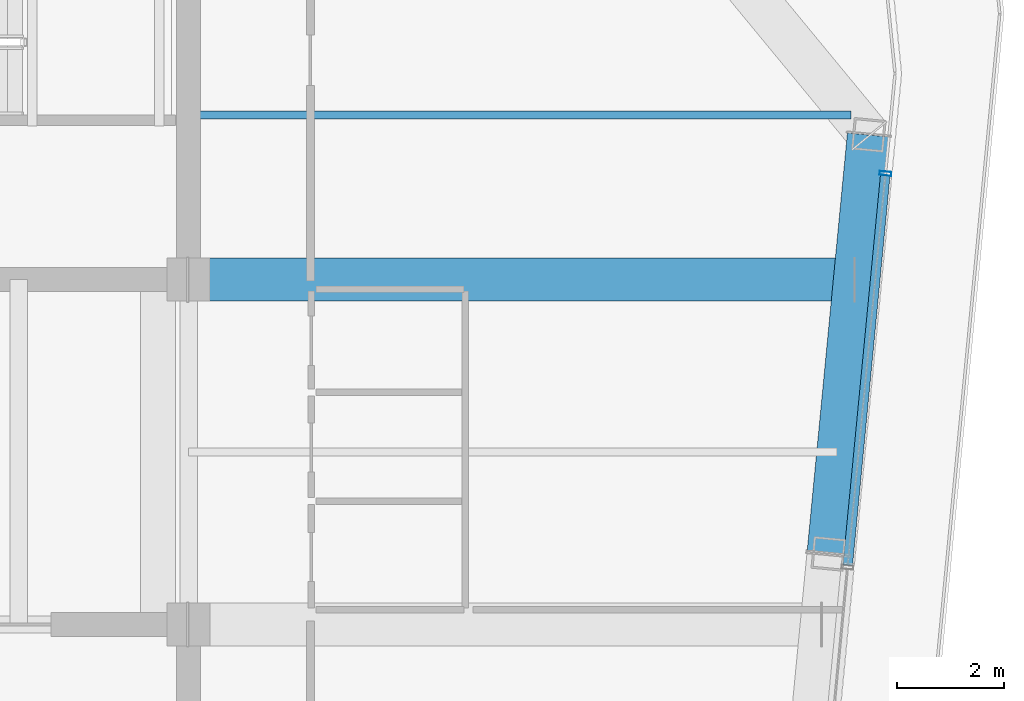
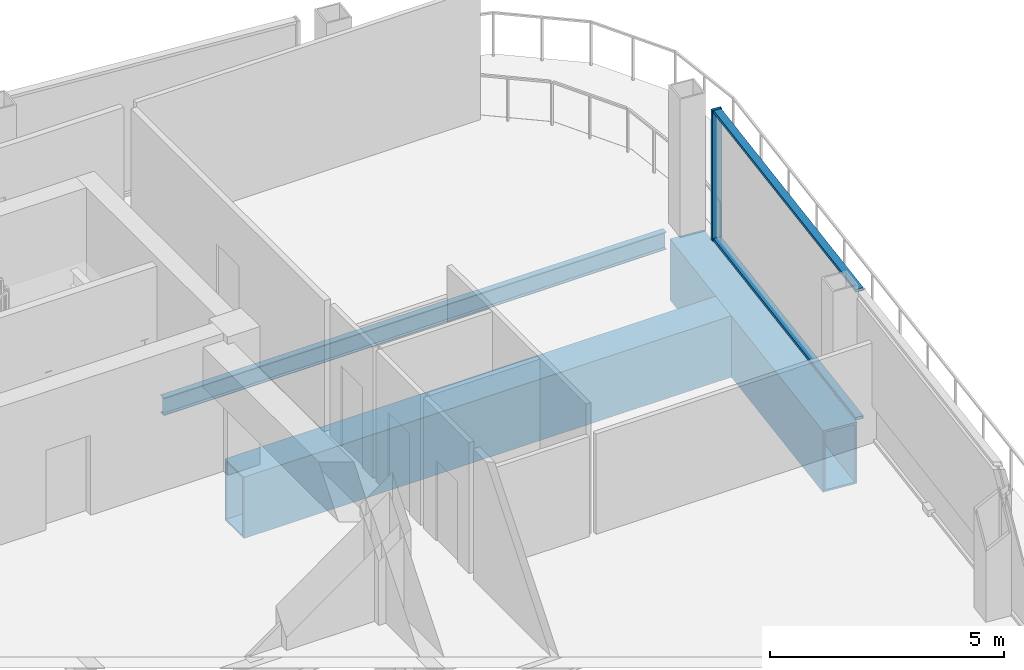
# One storey, part 7 of 20: 3 beams, 3 members, 1 element without a shape of its own.
"""IFC4 building model written with IfcOpenShell, lengths in metres."""

from ifc_helpers import new_model, si_unit, direction, frame, origin, origin_2d, place, context, subcontext, project, spatial, hollow_rectangle, i_section, extrude, material, layer, layer_set, material_profile, profile_set, type_object, element, aggregate, save


model = new_model("IFC4")

# Units and contexts
model_context = context("Model", 3, precision=1e-05, world=origin(), true_north=direction((0.0, 1.0)))
body_context = subcontext(model_context, "Body", "Model", "MODEL_VIEW")
ifc_project = project(units=[si_unit("LENGTHUNIT", "METRE"), si_unit("AREAUNIT", "SQUARE_METRE"), si_unit("VOLUMEUNIT", "CUBIC_METRE"), si_unit("PLANEANGLEUNIT", "RADIAN"), si_unit("MASSUNIT", "GRAM", prefix="KILO")], contexts=[model_context])

# Site, building, storey
site_placement = place(None, origin())
site = spatial("IfcSite", under=ifc_project, at=site_placement, CompositionType="ELEMENT")
building_placement = place(site_placement, origin())
building = spatial("IfcBuilding", under=site, at=building_placement, Name="Qhalaya Broadcast Tower", CompositionType="ELEMENT")
storey_placement = place(building_placement, frame((0.0, 0.0, 273.35009765625)))
storey = spatial("IfcBuildingStorey", under=building, at=storey_placement, Name="L81", CompositionType="ELEMENT", Elevation=273.35009765625)

# Beam
ifc_material_1 = material(Name="Structural Steel ASTM A992 Grade 50", Category="steel")
ifc_material_profile_1 = material_profile(ifc_material_1, i_section(OverallWidth=0.154052734375, OverallDepth=0.458984375, WebThickness=0.009033203125, FlangeThickness=0.015380859375, at=origin_2d()), Name="W18X46")
ifc_profile_set_1 = profile_set([ifc_material_profile_1], Name="Structural Steel ASTM A992 Grade 50")
beam_type_1 = type_object("IfcBeamType", Name="Composite Floor Joist J04", PredefinedType="JOIST", material=ifc_profile_set_1)
beam_1_placement = place(storey_placement, frame((9.375, 6.89990234375, -0.419677734375), z_axis=(1.0, 0.0, 0.0), x_axis=(0.0, 1.0, 0.0)))
element("IfcBeam", 1, at=beam_1_placement, inside=storey, type_object=beam_type_1, Name="L81 J04 L81-JWE5E-1", PredefinedType="JOIST", context=body_context, shape_type="SweptSolid", body=[
    extrude(i_section(OverallWidth=0.154052734375, OverallDepth=0.458984375, WebThickness=0.009033203125, FlangeThickness=0.015380859375, at=origin_2d()), origin(), (0.0, 0.0, 1.0), 12.38330078125),
])

# Curtain wall, members
ifc_material_2 = material(Name="Solar-Control Low-E Triple Glazing", Category="glass")
ifc_layer = layer(ifc_material_2, 0.219970703125, Name="Solar-Control Low-E Triple Glazing")
ifc_layer_set = layer_set([ifc_layer], Name="Solar-Control Low-E Triple Glazing")
curtain_wall_type = type_object("IfcCurtainWallType", Name="Crown Garden & Observation Windscreen Curtain Wall CW-06", PredefinedType="NOTDEFINED", material=ifc_layer_set)
curtain_wall_placement = place(storey_placement, origin())
curtain_wall = element("IfcCurtainWall", 2, at=curtain_wall_placement, inside=storey, type_object=curtain_wall_type, Name="L81 Unitised Curtain Wall L81-CW-E", PredefinedType="NOTDEFINED")
ifc_material_3 = material(Name="Anodised Aluminium 6063-T6", Category="aluminium")
ifc_material_profile_2 = material_profile(ifc_material_3, hollow_rectangle(XDim=0.074951171875, YDim=0.219970703125, WallThickness=0.00390625, at=origin_2d()), Name="ALU-MUL 75x220x4")
ifc_profile_set_2 = profile_set([ifc_material_profile_2], Name="Anodised Aluminium 6063-T6")
member_type_1 = type_object("IfcMemberType", Name="Unitised Curtain-Wall Mullion M01", PredefinedType="MULLION", material=ifc_profile_set_2)
member_1_placement = place(storey_placement, frame((22.40283203125, 5.8076171875, 0.0), z_axis=(0.0, 0.0, 1.0), x_axis=(0.095847667974, 0.995396013928, 0.0)))
member_1 = element("IfcMember", 3, at=member_1_placement, type_object=member_type_1, Name="CW-06 mullion 4", PredefinedType="MULLION", context=body_context, shape_type="SweptSolid", body=[
    extrude(hollow_rectangle(XDim=0.074951171875, YDim=0.219970703125, WallThickness=0.00390625, at=origin_2d()), origin(), (0.0, 0.0, 1.0), 3.409912109375),
])
ifc_material_profile_3 = material_profile(ifc_material_3, hollow_rectangle(XDim=0.074951171875, YDim=0.179931640625, WallThickness=0.00390625, at=origin_2d()), Name="ALU-TRN 75x180x4")
ifc_profile_set_3 = profile_set([ifc_material_profile_3], Name="Anodised Aluminium 6063-T6")
member_type_2 = type_object("IfcMemberType", Name="Unitised Curtain-Wall Transom T01", PredefinedType="USERDEFINED", material=ifc_profile_set_3)
member_2_placement = place(storey_placement, frame((21.697509765625, -1.516845703125, 0.037353515625), z_axis=(0.095844579162, 0.995396311348, 0.0), x_axis=(0.0, 0.0, 1.0)))
member_2 = element("IfcMember", 4, at=member_2_placement, type_object=member_type_2, Name="CW-06 transom 3.1", ObjectType="TRANSOM", PredefinedType="USERDEFINED", context=body_context, shape_type="SweptSolid", body=[
    extrude(hollow_rectangle(XDim=0.074951171875, YDim=0.179931640625, WallThickness=0.00390625, at=origin_2d()), origin(), (0.0, 0.0, 1.0), 7.32080078125),
])
member_3_placement = place(storey_placement, frame((21.697509765625, -1.516845703125, 3.372314453125), z_axis=(0.095844579162, 0.995396311348, 0.0), x_axis=(0.0, 0.0, 1.0)))
member_3 = element("IfcMember", 5, at=member_3_placement, type_object=member_type_2, Name="CW-06 transom 3.2", ObjectType="TRANSOM", PredefinedType="USERDEFINED", context=body_context, shape_type="SweptSolid", body=[
    extrude(hollow_rectangle(XDim=0.074951171875, YDim=0.179931640625, WallThickness=0.00390625, at=origin_2d()), origin(), (0.0, 0.0, 1.0), 7.32080078125),
])
aggregate(curtain_wall, [member_1, member_2, member_3])

# Beams
ifc_material_4 = material(Name="Structural Steel ASTM A572 Grade 50", Category="steel")
ifc_material_profile_4 = material_profile(ifc_material_4, hollow_rectangle(XDim=0.800048828125, YDim=1.60009765625, WallThickness=0.050048828125, at=origin_2d()), Name="BOX 800x1600x50")
ifc_profile_set_4 = profile_set([ifc_material_profile_4], Name="Structural Steel ASTM A572 Grade 50")
beam_type_2 = type_object("IfcBeamType", Name="Upper Cantilever Transfer Box Girder TG2", PredefinedType="USERDEFINED", material=ifc_profile_set_4)
beam_2_placement = place(storey_placement, frame((21.33642578125, -1.302001953125, -0.989990234375), z_axis=(0.095837184179, 0.995397023367, 0.0), x_axis=(-0.995397023367, 0.095837184179, 0.0)))
element("IfcBeam", 6, at=beam_2_placement, inside=storey, type_object=beam_type_2, Name="L81 TG2 L81-SPR-07", ObjectType="GIRDER", PredefinedType="USERDEFINED", context=body_context, shape_type="SweptSolid", body=[
    extrude(hollow_rectangle(XDim=0.800048828125, YDim=1.60009765625, WallThickness=0.050048828125, at=origin_2d()), origin(), (0.0, 0.0, 1.0), 7.866455078125),
])
beam_3_placement = place(storey_placement, frame((9.375, 3.824951171875, -0.989990234375), z_axis=(1.0, 0.0, 0.0), x_axis=(0.0, 1.0, 0.0)))
element("IfcBeam", 7, at=beam_3_placement, inside=storey, type_object=beam_type_2, Name="L81 TG2 L81-PGYE3-1", ObjectType="GIRDER", PredefinedType="USERDEFINED", context=body_context, shape_type="SweptSolid", body=[
    extrude(hollow_rectangle(XDim=0.800048828125, YDim=1.60009765625, WallThickness=0.050048828125, at=origin_2d()), origin(), (0.0, 0.0, 1.0), 12.43505859375),
])

save(model, "model.ifc")
